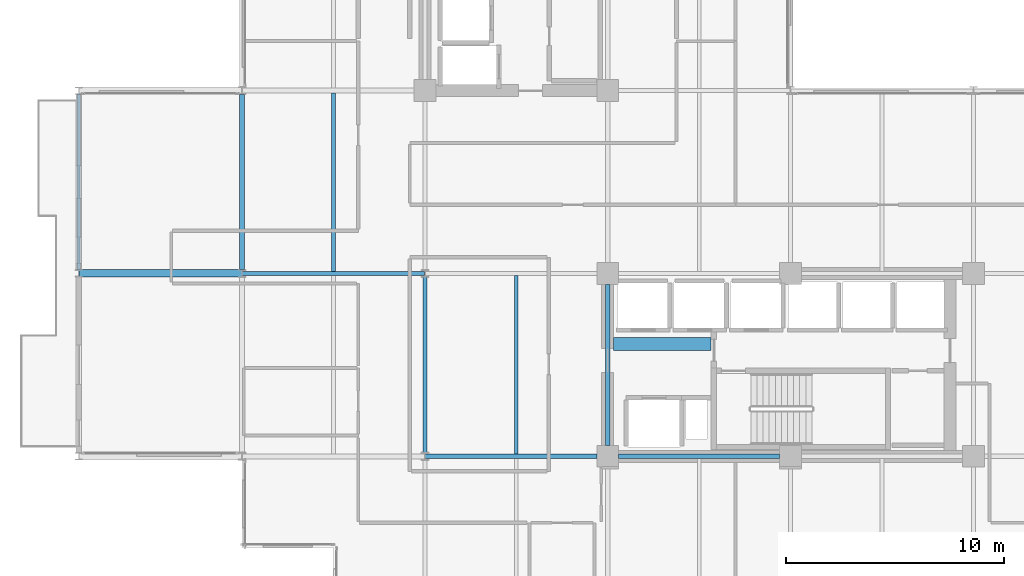
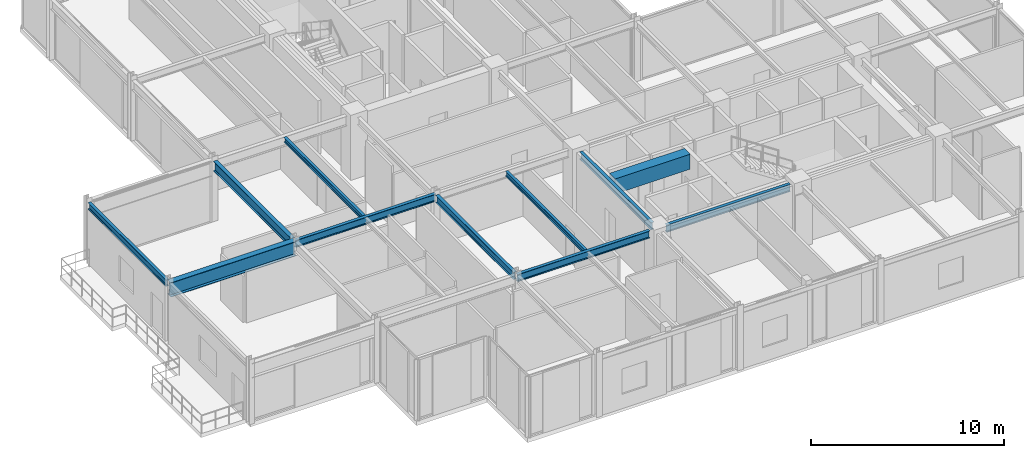
# One storey, part 8 of 29: 11 beams.
"""IFC4 building model written with IfcOpenShell, lengths in metres."""

from ifc_helpers import new_model, si_unit, direction, frame, origin, origin_2d, place, context, subcontext, project, spatial, rectangle, i_section, extrude, material, material_profile, profile_set, type_object, element, save


model = new_model("IFC4")

# Units and contexts
model_context = context("Model", 3, precision=1e-05, world=origin(), true_north=direction((0.0, 1.0)))
body_context = subcontext(model_context, "Body", "Model", "MODEL_VIEW")
ifc_project = project(units=[si_unit("LENGTHUNIT", "METRE"), si_unit("AREAUNIT", "SQUARE_METRE"), si_unit("VOLUMEUNIT", "CUBIC_METRE"), si_unit("PLANEANGLEUNIT", "RADIAN"), si_unit("MASSUNIT", "GRAM", prefix="KILO")], contexts=[model_context])

# Site, building, storey
site_placement = place(None, origin())
site = spatial("IfcSite", under=ifc_project, at=site_placement, CompositionType="ELEMENT")
building_placement = place(site_placement, origin())
building = spatial("IfcBuilding", under=site, at=building_placement, Name="Nerrivon Quay Data Exchange", CompositionType="ELEMENT")
storey_placement = place(building_placement, frame((0.0, 0.0, 208.300048828125)))
storey = spatial("IfcBuildingStorey", under=building, at=storey_placement, Name="L49", CompositionType="ELEMENT", Elevation=208.300048828125)

# Beams
ifc_material_1 = material(Name="Steel Grade 350", Category="steel")
ifc_material_profile_1 = material_profile(ifc_material_1, i_section(OverallWidth=0.35009765625, OverallDepth=0.909912109375, WebThickness=0.011962890625, FlangeThickness=0.02490234375, at=origin_2d()), Name="900WB218")
ifc_profile_set_1 = profile_set([ifc_material_profile_1], Name="Steel Grade 350")
beam_type_1 = type_object("IfcBeamType", Name="BM-CANT-900WB", PredefinedType="USERDEFINED", material=ifc_profile_set_1)
beam_1_placement = place(storey_placement, frame((-0.010009765625, 16.800048828125, 3.369873046875), z_axis=(-1.0, 0.0, 0.0), x_axis=(0.0, -1.0, 0.0)))
element("IfcBeam", 1, at=beam_1_placement, inside=storey, type_object=beam_type_1, Name="L49 West Hooked Cantilever Girder Y=16.8", ObjectType="TRANSFER", PredefinedType="USERDEFINED", context=body_context, shape_type="SweptSolid", body=[
    extrude(i_section(OverallWidth=0.35009765625, OverallDepth=0.909912109375, WebThickness=0.011962890625, FlangeThickness=0.02490234375, at=origin_2d()), origin(), (0.0, 0.0, 1.0), 7.482177734375),
])
ifc_material_2 = material(Name="Concrete N50 (50 MPa)", Category="concrete")
ifc_material_profile_2 = material_profile(ifc_material_2, rectangle(XDim=0.60009765625, YDim=0.949951171875, at=origin_2d()), Name="RC-CB-600x950")
ifc_profile_set_2 = profile_set([ifc_material_profile_2], Name="Concrete N50 (50 MPa)")
beam_type_2 = type_object("IfcBeamType", Name="BM-CB2-600x950", PredefinedType="LINTEL", material=ifc_profile_set_2)
beam_2_placement = place(storey_placement, frame((17.074951171875, 13.550048828125, 3.349853515625), z_axis=(1.0, 0.0, 0.0), x_axis=(0.0, 1.0, 0.0)))
element("IfcBeam", 2, at=beam_2_placement, inside=storey, type_object=beam_type_2, Name="L49 East Core Coupling Beam", PredefinedType="LINTEL", context=body_context, shape_type="SweptSolid", body=[
    extrude(rectangle(XDim=0.60009765625, YDim=0.949951171875, at=origin_2d()), origin(), (0.0, 0.0, 1.0), 4.47998046875),
])
ifc_material_profile_3 = material_profile(ifc_material_1, i_section(OverallWidth=0.22802734375, OverallDepth=0.60205078125, WebThickness=0.010498046875, FlangeThickness=0.014892578125, FilletRadius=0.013916015625, at=origin_2d()), Name="610UB101")
ifc_profile_set_3 = profile_set([ifc_material_profile_3], Name="Steel Grade 350")
beam_type_3 = type_object("IfcBeamType", Name="BM-G2-610UB101", PredefinedType="BEAM", material=ifc_profile_set_3)
beam_3_placement = place(storey_placement, frame((0.0, 16.97509765625, 3.52392578125), z_axis=(0.0, 1.0, 0.0), x_axis=(-1.0, 0.0, 0.0)))
element("IfcBeam", 3, at=beam_3_placement, inside=storey, type_object=beam_type_3, Name="L49 NS Girder X=0.0 (16.8..25.2)", PredefinedType="BEAM", context=body_context, shape_type="SweptSolid", body=[
    extrude(i_section(OverallWidth=0.22802734375, OverallDepth=0.60205078125, WebThickness=0.010498046875, FlangeThickness=0.014892578125, FilletRadius=0.013916015625, at=origin_2d()), origin(), (0.0, 0.0, 1.0), 8.0498046875),
])
ifc_material_profile_4 = material_profile(ifc_material_1, i_section(OverallWidth=0.19091796875, OverallDepth=0.4599609375, WebThickness=0.010009765625, FlangeThickness=0.01611328125, FilletRadius=0.011474609375, at=origin_2d()), Name="460UB82.1")
ifc_profile_set_4 = profile_set([ifc_material_profile_4], Name="Steel Grade 350")
beam_type_4 = type_object("IfcBeamType", Name="BM-G5-460UB82", PredefinedType="BEAM", material=ifc_profile_set_4)
beam_4_placement = place(storey_placement, frame((8.409912109375, 8.39990234375, 3.594970703125), z_axis=(1.0, 0.0, 0.0), x_axis=(0.0, 1.0, 0.0)))
element("IfcBeam", 4, at=beam_4_placement, inside=storey, type_object=beam_type_4, Name="L49 EW Girder Y=8.4 (8.4..16.8)", PredefinedType="BEAM", context=body_context, shape_type="SweptSolid", body=[
    extrude(i_section(OverallWidth=0.19091796875, OverallDepth=0.4599609375, WebThickness=0.010009765625, FlangeThickness=0.01611328125, FilletRadius=0.011474609375, at=origin_2d()), origin(), (0.0, 0.0, 1.0), 7.89013671875),
])
beam_5_placement = place(storey_placement, frame((17.300048828125, 8.39990234375, 3.594970703125), z_axis=(1.0, 0.0, 0.0), x_axis=(0.0, 1.0, 0.0)))
element("IfcBeam", 5, at=beam_5_placement, inside=storey, type_object=beam_type_4, Name="L49 EW Girder Y=8.4 (16.8..25.2)", PredefinedType="BEAM", context=body_context, shape_type="SweptSolid", body=[
    extrude(i_section(OverallWidth=0.19091796875, OverallDepth=0.4599609375, WebThickness=0.010009765625, FlangeThickness=0.01611328125, FilletRadius=0.011474609375, at=origin_2d()), origin(), (0.0, 0.0, 1.0), 7.39990234375),
])
beam_6_placement = place(storey_placement, frame((0.010009765625, 16.800048828125, 3.594970703125), z_axis=(1.0, 0.0, 0.0), x_axis=(0.0, 1.0, 0.0)))
element("IfcBeam", 6, at=beam_6_placement, inside=storey, type_object=beam_type_4, Name="L49 EW Girder Y=16.8 (0.0..8.4)", PredefinedType="BEAM", context=body_context, shape_type="SweptSolid", body=[
    extrude(i_section(OverallWidth=0.19091796875, OverallDepth=0.4599609375, WebThickness=0.010009765625, FlangeThickness=0.01611328125, FilletRadius=0.011474609375, at=origin_2d()), origin(), (0.0, 0.0, 1.0), 8.3798828125),
])
ifc_material_profile_5 = material_profile(ifc_material_1, i_section(OverallWidth=0.18994140625, OverallDepth=0.4541015625, WebThickness=0.008544921875, FlangeThickness=0.0126953125, FilletRadius=0.011474609375, at=origin_2d()), Name="460UB67.1")
ifc_profile_set_5 = profile_set([ifc_material_profile_5], Name="Steel Grade 350")
beam_type_5 = type_object("IfcBeamType", Name="BM-G6-460UB67", PredefinedType="BEAM", material=ifc_profile_set_5)
beam_7_placement = place(storey_placement, frame((8.39990234375, 8.574951171875, 3.597900390625), z_axis=(0.0, 1.0, 0.0), x_axis=(-1.0, 0.0, 0.0)))
element("IfcBeam", 7, at=beam_7_placement, inside=storey, type_object=beam_type_5, Name="L49 NS Girder X=8.4 (8.4..16.8)", PredefinedType="BEAM", context=body_context, shape_type="SweptSolid", body=[
    extrude(i_section(OverallWidth=0.18994140625, OverallDepth=0.4541015625, WebThickness=0.008544921875, FlangeThickness=0.0126953125, FilletRadius=0.011474609375, at=origin_2d()), origin(), (0.0, 0.0, 1.0), 8.050048828125),
])
beam_8_placement = place(storey_placement, frame((16.800048828125, 8.89990234375, 3.597900390625), z_axis=(0.0, 1.0, 0.0), x_axis=(-1.0, 0.0, 0.0)))
element("IfcBeam", 8, at=beam_8_placement, inside=storey, type_object=beam_type_5, Name="L49 NS Girder X=16.8 (8.4..16.8)", PredefinedType="BEAM", context=body_context, shape_type="SweptSolid", body=[
    extrude(i_section(OverallWidth=0.18994140625, OverallDepth=0.4541015625, WebThickness=0.008544921875, FlangeThickness=0.0126953125, FilletRadius=0.011474609375, at=origin_2d()), origin(), (0.0, 0.0, 1.0), 7.400146484375),
])
ifc_material_profile_6 = material_profile(ifc_material_1, i_section(OverallWidth=0.166015625, OverallDepth=0.306884765625, WebThickness=0.006591796875, FlangeThickness=0.01171875, FilletRadius=0.011474609375, at=origin_2d()), Name="310UB46.2")
ifc_profile_set_6 = profile_set([ifc_material_profile_6], Name="Steel Grade 350")
beam_type_6 = type_object("IfcBeamType", Name="BM-J5-310UB46", PredefinedType="JOIST", material=ifc_profile_set_6)
beam_9_placement = place(storey_placement, frame((4.199951171875, 16.8955078125, 3.67138671875), z_axis=(0.0, 1.0, 0.0), x_axis=(-1.0, 0.0, 0.0)))
element("IfcBeam", 9, at=beam_9_placement, inside=storey, type_object=beam_type_6, Name="L49 Secondary Joist X=4.2 (16.8..25.2)", PredefinedType="JOIST", context=body_context, shape_type="SweptSolid", body=[
    extrude(i_section(OverallWidth=0.166015625, OverallDepth=0.306884765625, WebThickness=0.006591796875, FlangeThickness=0.01171875, FilletRadius=0.011474609375, at=origin_2d()), origin(), (0.0, 0.0, 1.0), 8.18994140625),
])
beam_10_placement = place(storey_placement, frame((12.60009765625, 8.49560546875, 3.67138671875), z_axis=(0.0, 1.0, 0.0), x_axis=(-1.0, 0.0, 0.0)))
element("IfcBeam", 10, at=beam_10_placement, inside=storey, type_object=beam_type_6, Name="L49 Secondary Joist X=12.6 (8.4..16.8)", PredefinedType="JOIST", context=body_context, shape_type="SweptSolid", body=[
    extrude(i_section(OverallWidth=0.166015625, OverallDepth=0.306884765625, WebThickness=0.006591796875, FlangeThickness=0.01171875, FilletRadius=0.011474609375, at=origin_2d()), origin(), (0.0, 0.0, 1.0), 8.208984375),
])
ifc_material_profile_7 = material_profile(ifc_material_1, i_section(OverallWidth=0.177978515625, OverallDepth=0.403076171875, WebThickness=0.007568359375, FlangeThickness=0.010986328125, FilletRadius=0.011474609375, at=origin_2d()), Name="410UB53.7")
ifc_profile_set_7 = profile_set([ifc_material_profile_7], Name="Steel Grade 350")
beam_type_7 = type_object("IfcBeamType", Name="BM-SP2-410UB54", PredefinedType="SPANDREL", material=ifc_profile_set_7)
beam_11_placement = place(storey_placement, frame((-7.5, 16.96337890625, 3.62353515625), z_axis=(0.0, 1.0, 0.0), x_axis=(-1.0, 0.0, 0.0)))
element("IfcBeam", 11, at=beam_11_placement, inside=storey, type_object=beam_type_7, Name="L49 West Hooked Edge Spandrel", PredefinedType="SPANDREL", context=body_context, shape_type="SweptSolid", body=[
    extrude(i_section(OverallWidth=0.177978515625, OverallDepth=0.403076171875, WebThickness=0.007568359375, FlangeThickness=0.010986328125, FilletRadius=0.011474609375, at=origin_2d()), origin(), (0.0, 0.0, 1.0), 8.0732421875),
])

save(model, "model.ifc")
